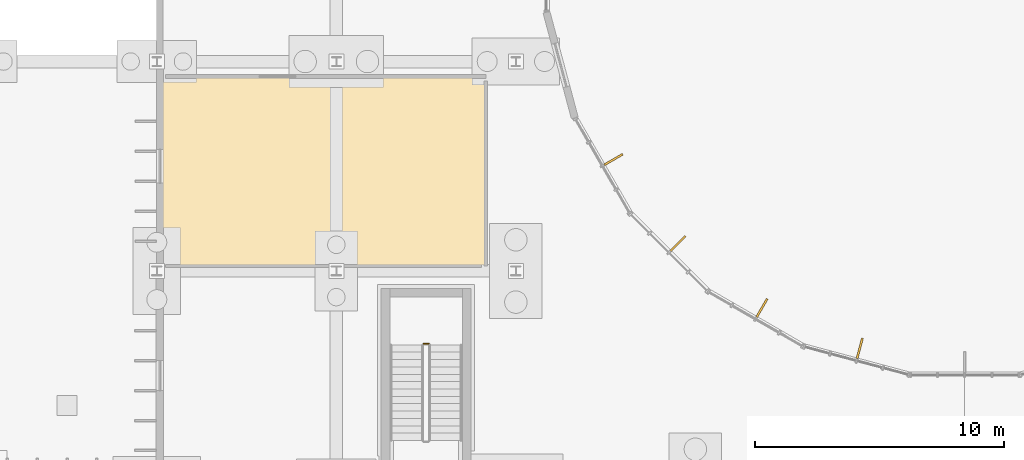
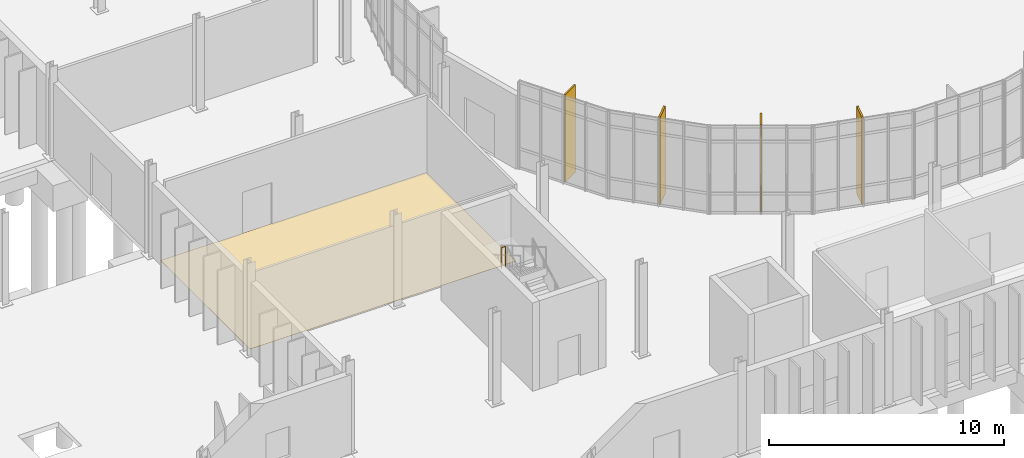
# One storey, part 106 of 118: 4 shading devices, 1 covering, 1 railing.
"""IFC4 building model written with IfcOpenShell, lengths in metres."""

from ifc_helpers import new_model, si_unit, direction, frame, origin, origin_2d, place, context, subcontext, project, spatial, polyline, rectangle, circle, outline, extrude, material, layer, layer_set, type_object, element, save


model = new_model("IFC4")

# Units and contexts
model_context = context("Model", 3, precision=1e-05, world=origin(), true_north=direction((0.0, 1.0)))
body_context = subcontext(model_context, "Body", "Model", "MODEL_VIEW")
ifc_project = project(units=[si_unit("LENGTHUNIT", "METRE"), si_unit("AREAUNIT", "SQUARE_METRE"), si_unit("VOLUMEUNIT", "CUBIC_METRE"), si_unit("PLANEANGLEUNIT", "RADIAN"), si_unit("MASSUNIT", "GRAM", prefix="KILO")], contexts=[model_context])

# Site, building, storey
site_placement = place(None, origin())
site = spatial("IfcSite", under=ifc_project, at=site_placement, CompositionType="ELEMENT")
building_placement = place(site_placement, origin())
building = spatial("IfcBuilding", under=site, at=building_placement, Name="Qelthora Terrace Specialist Clinic", CompositionType="ELEMENT")
storey_placement = place(building_placement, origin())
storey = spatial("IfcBuildingStorey", under=building, at=storey_placement, Name="L00", CompositionType="ELEMENT", Elevation=0.0)

# Covering
ifc_material_1 = material(Name="Antimicrobial clinical linoleum flooring", Category="other")
ifc_layer = layer(ifc_material_1, 0.011962890625)
ifc_layer_set = layer_set([ifc_layer], Name="Antimicrobial clinical linoleum flooring")
covering_type = type_object("IfcCoveringType", Name="COV-FLR-LINO-12", PredefinedType="FLOORING", material=ifc_layer_set)
covering_placement = place(storey_placement, origin())
element("IfcCovering", 1, at=covering_placement, inside=storey, type_object=covering_type, Name="Outpatient Specialty Triage South L00-42B resilient linoleum flooring", PredefinedType="FLOORING", context=body_context, shape_type="SweptSolid", body=[
    extrude(outline(polyline([(93.75, 50.60009765625), (93.75, 58.199951171875), (106.800048828125, 58.199951171875), (106.800048828125, 50.60009765625), (93.75, 50.60009765625)])), origin(), (0.0, 0.0, 1.0), 0.011962890625),
])

# Railing
ifc_material_2 = material(Name="Steel S355", Category="steel")
railing_type = type_object("IfcRailingType", Name="RAL-GD-1100-S355", PredefinedType="GUARDRAIL", material=ifc_material_2)
railing_placement = place(storey_placement, frame((104.5, 47.485107421875, 2.39990234375)))
element("IfcRailing", 2, at=railing_placement, inside=storey, type_object=railing_type, Name="L00 ST-05 stair guard 2", PredefinedType="GUARDRAIL", context=body_context, shape_type="SweptSolid", body=[
    extrude(circle(Radius=0.02392578125, at=origin_2d()), frame((0.0, 0.0, 1.076171875), z_axis=(-1.0, 0.0, 0.0), x_axis=(0.0, -1.0, 0.0)), (0.0, 0.0, 1.0), 0.199951171875),
    extrude(circle(Radius=0.02099609375, at=origin_2d()), origin(), (0.0, 0.0, 1.0), 1.052001953125),
    extrude(circle(Radius=0.02099609375, at=origin_2d()), frame((-0.199951171875, 0.0, 0.0)), (0.0, 0.0, 1.0), 1.052001953125),
])

# Shading devices
ifc_material_3 = material(Name="Glulam timber GL28h", Category="wood")
shading_device_type = type_object("IfcShadingDeviceType", Name="SHD-FIN-850", PredefinedType="USERDEFINED", material=ifc_material_3)
for number, where, z_axis, x_axis, name in (
    (3, (111.917236328125, 54.869384765625, 0.0), (0.0, 0.0, 1.0), (0.866025403784, 0.5, 0.0), "Court solar fin FIN-0012"),
    (4, (114.50146484375, 51.50146484375, 0.0), (0.0, 0.0, 1.0), (0.707106781187, 0.707106781187, 0.0), "Court solar fin FIN-0013"),
    (5, (117.869384765625, 48.917236328125, 0.0), (0.0, 0.0, 1.0), (0.5, 0.866025403784, 0.0), "Court solar fin FIN-0014"),
    (6, (121.791259765625, 47.292724609375, 0.0), (0.0, 0.0, 1.0), (0.258819045103, 0.965925826289, 0.0), "Court solar fin FIN-0015"),
):
    element("IfcShadingDevice", number, at=place(storey_placement, frame(where, z_axis=z_axis, x_axis=x_axis)), inside=storey, type_object=shading_device_type, Name=name, ObjectType="FIN", PredefinedType="USERDEFINED", context=body_context, shape_type="SweptSolid", body=[
        extrude(rectangle(XDim=0.85009765625, YDim=0.080078125, at=origin_2d()), origin(), (0.0, 0.0, 1.0), 4.544921875),
    ])

save(model, "model.ifc")
